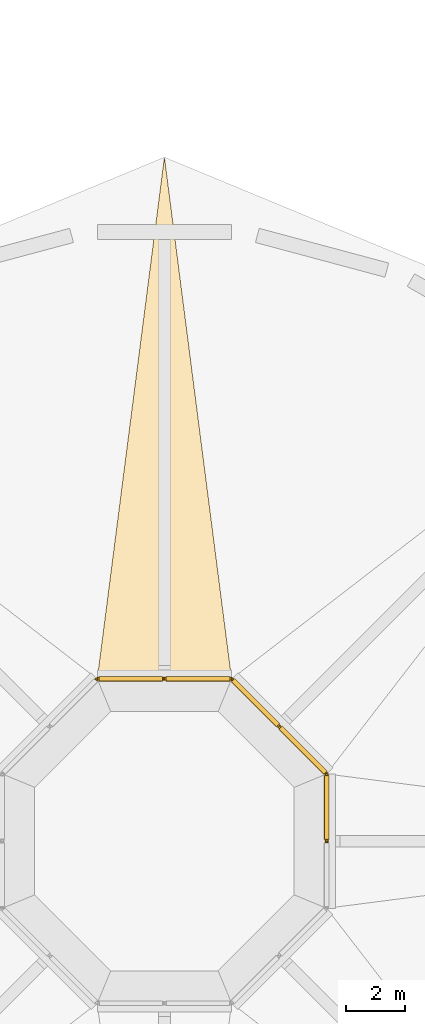
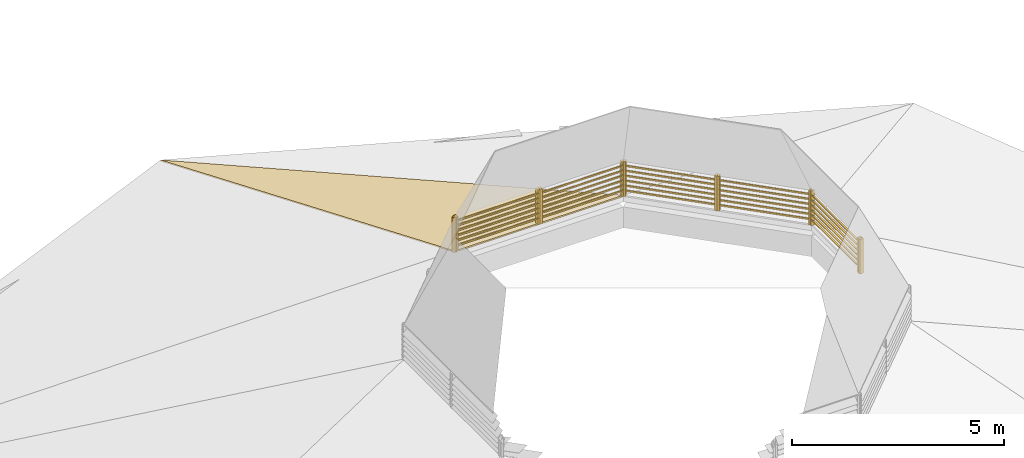
# One storey, part 120 of 137: 42 shading devices, 1 covering.
"""IFC4 building model written with IfcOpenShell, lengths in metres."""

from ifc_helpers import new_model, si_unit, direction, frame, origin, origin_2d, place, context, subcontext, project, spatial, polyline, rectangle, outline, extrude, material, layer, layer_set, material_profile, profile_set, type_object, element, save


model = new_model("IFC4")

# Units and contexts
model_context = context("Model", 3, precision=1e-05, world=origin(), true_north=direction((0.0, 1.0)))
body_context = subcontext(model_context, "Body", "Model", "MODEL_VIEW")
ifc_project = project(units=[si_unit("LENGTHUNIT", "METRE"), si_unit("AREAUNIT", "SQUARE_METRE"), si_unit("VOLUMEUNIT", "CUBIC_METRE"), si_unit("PLANEANGLEUNIT", "RADIAN"), si_unit("MASSUNIT", "GRAM", prefix="KILO")], contexts=[model_context])

# Site, building, storey
site_placement = place(None, origin())
site = spatial("IfcSite", under=ifc_project, at=site_placement, CompositionType="ELEMENT")
building_placement = place(site_placement, origin())
building = spatial("IfcBuilding", under=site, at=building_placement, Name="Bougainvillea Quay General Hospital", CompositionType="ELEMENT")
storey_placement = place(building_placement, frame((0.0, 0.0, 16.800048828125)))
storey = spatial("IfcBuildingStorey", under=building, at=storey_placement, Name="L03", CompositionType="ELEMENT", Elevation=16.800048828125)

# Shading devices
ifc_material_1 = material(Name="Extruded aluminium louvre frame, powder-coated grey", Category="aluminium")
ifc_material_profile_1 = material_profile(ifc_material_1, rectangle(XDim=0.10009765625, YDim=0.06005859375, at=origin_2d()))
ifc_profile_set_1 = profile_set([ifc_material_profile_1], Name="Extruded aluminium louvre frame, powder-coated grey")
shading_device_type_1 = type_object("IfcShadingDeviceType", Name="Louvre frame post 100x60", PredefinedType="JALOUSIE", material=ifc_profile_set_1)
for number, where, z_axis, x_axis, name in (
    (1, (114.7216796875, 76.317138671875, 9.0), (0.0, 0.0, 1.0), (-0.707106781187, -0.707106781187, 0.0), "Louvre post V00.1"),
    (2, (113.140625, 77.898193359375, 9.0), (0.0, 0.0, 1.0), (-0.707106781187, -0.707106781187, 0.0), "Louvre post V00.2"),
    (3, (113.098388671875, 77.940673828125, 9.0), (0.0, 0.0, 1.0), (-0.707106781187, -0.707106781187, 0.0), "Louvre post V01.1"),
    (4, (111.517333984375, 79.521728515625, 9.0), (0.0, 0.0, 1.0), (-0.707106781187, -0.707106781187, 0.0), "Louvre post V01.2"),
    (5, (111.466064453125, 79.54296875, 9.0), (0.0, 0.0, 1.0), (0.0, -1.0, 0.0), "Louvre post V02.1"),
    (6, (109.22998046875, 79.54296875, 9.0), (0.0, 0.0, 1.0), (0.0, -1.0, 0.0), "Louvre post V02.2"),
    (7, (109.169921875, 79.54296875, 9.0), (0.0, 0.0, 1.0), (0.0, -1.0, 0.0), "Louvre post V03.1"),
    (8, (106.93408203125, 79.54296875, 9.0), (0.0, 0.0, 1.0), (0.0, -1.0, 0.0), "Louvre post V03.2"),
    (9, (106.8828125, 79.521728515625, 9.0), (0.0, 0.0, 1.0), (0.707106781187, -0.707106781187, 0.0), "Louvre post V04.1"),
    (10, (114.742919921875, 73.969970703125, 9.0), (0.0, 0.0, 1.0), (-1.0, 0.0, 0.0), "Louvre post V14.2"),
    (11, (114.742919921875, 74.030029296875, 9.0), (0.0, 0.0, 1.0), (-1.0, 0.0, 0.0), "Louvre post V15.1"),
    (12, (114.742919921875, 76.26611328125, 9.0), (0.0, 0.0, 1.0), (-1.0, 0.0, 0.0), "Louvre post V15.2"),
):
    element("IfcShadingDevice", number, at=place(storey_placement, frame(where, z_axis=z_axis, x_axis=x_axis)), inside=storey, type_object=shading_device_type_1, Name=name, PredefinedType="JALOUSIE", context=body_context, shape_type="SweptSolid", body=[
        extrude(rectangle(XDim=0.10009765625, YDim=0.06005859375, at=origin_2d()), origin(), (0.0, 0.0, 1.0), 1.0),
    ])

# Covering
ifc_material_2 = material(Name="Standing seam zinc-titanium roofing, grey")
ifc_layer = layer(ifc_material_2, 0.0400390625)
ifc_layer_set = layer_set([ifc_layer], Name="Standing seam zinc-titanium roofing, grey")
covering_type = type_object("IfcCoveringType", Name="Standing seam metal roofing RP1 40", PredefinedType="ROOFING", material=ifc_layer_set)
covering_placement = place(storey_placement, frame((109.199951171875, 97.3798828125, 0.0), z_axis=(0.0, 0.450475782911, 0.892788647447), x_axis=(0.11417693103, -0.88695019469, 0.44752986555)))
element("IfcCovering", 13, at=covering_placement, inside=storey, type_object=covering_type, Name="Roof covering RP104", PredefinedType="ROOFING", context=body_context, shape_type="SweptSolid", body=[
    extrude(outline(polyline([(0.0, 0.0), (20.110389703138246, 2.220446049250313e-16), (19.58608455280953, -4.562011047610589), (0.0, 0.0)])), origin(), (-0.44752986555, 0.051433942396, -0.892788647447), 0.0400390625),
])

# Shading devices
ifc_material_3 = material(Name="Extruded aluminium storm louvre blade, powder-coated grey", Category="aluminium")
ifc_material_profile_2 = material_profile(ifc_material_3, rectangle(XDim=0.219970703125, YDim=0.014892578125, at=origin_2d()))
ifc_profile_set_2 = profile_set([ifc_material_profile_2], Name="Extruded aluminium storm louvre blade, powder-coated grey")
shading_device_type_2 = type_object("IfcShadingDeviceType", Name="Storm louvre blade 220", PredefinedType="JALOUSIE", material=ifc_profile_set_2)
for number, where, z_axis, x_axis, name in (
    (14, (114.70068359375, 76.33837890625, 9.142822265625), (-0.707162876286, 0.707050681637, 0.0), (-0.499960331628, -0.500039665225, 0.707106781187), "Storm louvre blade V00.1"),
    (15, (114.70068359375, 76.33837890625, 9.28564453125), (-0.707162876286, 0.707050681637, 0.0), (-0.499960331628, -0.500039665225, 0.707106781187), "Storm louvre blade V00.2"),
    (16, (114.70068359375, 76.33837890625, 9.428466796875), (-0.707162876286, 0.707050681637, 0.0), (-0.499960331628, -0.500039665225, 0.707106781187), "Storm louvre blade V00.3"),
    (17, (114.70068359375, 76.33837890625, 9.5712890625), (-0.707162876286, 0.707050681637, 0.0), (-0.499960331628, -0.500039665225, 0.707106781187), "Storm louvre blade V00.4"),
    (18, (114.70068359375, 76.33837890625, 9.71435546875), (-0.707162876286, 0.707050681637, 0.0), (-0.499960331628, -0.500039665225, 0.707106781187), "Storm louvre blade V00.5"),
    (19, (114.70068359375, 76.33837890625, 9.857177734375), (-0.707162876286, 0.707050681637, 0.0), (-0.499960331628, -0.500039665225, 0.707106781187), "Storm louvre blade V00.6"),
    (20, (113.0771484375, 77.9619140625, 9.142822265625), (-0.707162876286, 0.707050681637, 0.0), (-0.499960331628, -0.500039665225, 0.707106781187), "Storm louvre blade V01.1"),
    (21, (113.0771484375, 77.9619140625, 9.28564453125), (-0.707162876286, 0.707050681637, 0.0), (-0.499960331628, -0.500039665225, 0.707106781187), "Storm louvre blade V01.2"),
    (22, (113.0771484375, 77.9619140625, 9.428466796875), (-0.707162876286, 0.707050681637, 0.0), (-0.499960331628, -0.500039665225, 0.707106781187), "Storm louvre blade V01.3"),
    (23, (113.0771484375, 77.9619140625, 9.5712890625), (-0.707162876286, 0.707050681637, 0.0), (-0.499960331628, -0.500039665225, 0.707106781187), "Storm louvre blade V01.4"),
    (24, (113.0771484375, 77.9619140625, 9.71435546875), (-0.707162876286, 0.707050681637, 0.0), (-0.499960331628, -0.500039665225, 0.707106781187), "Storm louvre blade V01.5"),
    (25, (113.0771484375, 77.9619140625, 9.857177734375), (-0.707162876286, 0.707050681637, 0.0), (-0.499960331628, -0.500039665225, 0.707106781187), "Storm louvre blade V01.6"),
    (26, (111.43603515625, 79.54296875, 9.142822265625), (-1.0, 0.0, 0.0), (0.0, -0.707106781187, 0.707106781187), "Storm louvre blade V02.1"),
    (27, (111.43603515625, 79.54296875, 9.28564453125), (-1.0, 0.0, 0.0), (0.0, -0.707106781187, 0.707106781187), "Storm louvre blade V02.2"),
    (28, (111.43603515625, 79.54296875, 9.428466796875), (-1.0, 0.0, 0.0), (0.0, -0.707106781187, 0.707106781187), "Storm louvre blade V02.3"),
    (29, (111.43603515625, 79.54296875, 9.5712890625), (-1.0, 0.0, 0.0), (0.0, -0.707106781187, 0.707106781187), "Storm louvre blade V02.4"),
    (30, (111.43603515625, 79.54296875, 9.71435546875), (-1.0, 0.0, 0.0), (0.0, -0.707106781187, 0.707106781187), "Storm louvre blade V02.5"),
    (31, (111.43603515625, 79.54296875, 9.857177734375), (-1.0, 0.0, 0.0), (0.0, -0.707106781187, 0.707106781187), "Storm louvre blade V02.6"),
):
    element("IfcShadingDevice", number, at=place(storey_placement, frame(where, z_axis=z_axis, x_axis=x_axis)), inside=storey, type_object=shading_device_type_2, Name=name, PredefinedType="JALOUSIE", context=body_context, shape_type="SweptSolid", body=[
        extrude(rectangle(XDim=0.219970703125, YDim=0.014892578125, at=origin_2d()), origin(), (0.0, 0.0, 1.0), 2.176025390625),
    ])
for number, where, z_axis, x_axis, name in (
    (32, (109.139892578125, 79.54296875, 9.142822265625), (-1.0, 0.0, 0.0), (0.0, -0.707106781187, 0.707106781187), "Storm louvre blade V03.1"),
    (33, (109.139892578125, 79.54296875, 9.28564453125), (-1.0, 0.0, 0.0), (0.0, -0.707106781187, 0.707106781187), "Storm louvre blade V03.2"),
    (34, (109.139892578125, 79.54296875, 9.428466796875), (-1.0, 0.0, 0.0), (0.0, -0.707106781187, 0.707106781187), "Storm louvre blade V03.3"),
    (35, (109.139892578125, 79.54296875, 9.5712890625), (-1.0, 0.0, 0.0), (0.0, -0.707106781187, 0.707106781187), "Storm louvre blade V03.4"),
    (36, (109.139892578125, 79.54296875, 9.71435546875), (-1.0, 0.0, 0.0), (0.0, -0.707106781187, 0.707106781187), "Storm louvre blade V03.5"),
    (37, (109.139892578125, 79.54296875, 9.857177734375), (-1.0, 0.0, 0.0), (0.0, -0.707106781187, 0.707106781187), "Storm louvre blade V03.6"),
):
    element("IfcShadingDevice", number, at=place(storey_placement, frame(where, z_axis=z_axis, x_axis=x_axis)), inside=storey, type_object=shading_device_type_2, Name=name, PredefinedType="JALOUSIE", context=body_context, shape_type="SweptSolid", body=[
        extrude(rectangle(XDim=0.219970703125, YDim=0.014892578125, at=origin_2d()), origin(), (0.0, 0.0, 1.0), 2.17578125),
    ])
for number, where, z_axis, x_axis, name in (
    (38, (114.742919921875, 74.06005859375, 9.142822265625), (0.0, 1.0, 0.0), (-0.707106781187, 0.0, 0.707106781187), "Storm louvre blade V15.1"),
    (39, (114.742919921875, 74.06005859375, 9.28564453125), (0.0, 1.0, 0.0), (-0.707106781187, 0.0, 0.707106781187), "Storm louvre blade V15.2"),
    (40, (114.742919921875, 74.06005859375, 9.428466796875), (0.0, 1.0, 0.0), (-0.707106781187, 0.0, 0.707106781187), "Storm louvre blade V15.3"),
    (41, (114.742919921875, 74.06005859375, 9.5712890625), (0.0, 1.0, 0.0), (-0.707106781187, 0.0, 0.707106781187), "Storm louvre blade V15.4"),
    (42, (114.742919921875, 74.06005859375, 9.71435546875), (0.0, 1.0, 0.0), (-0.707106781187, 0.0, 0.707106781187), "Storm louvre blade V15.5"),
    (43, (114.742919921875, 74.06005859375, 9.857177734375), (0.0, 1.0, 0.0), (-0.707106781187, 0.0, 0.707106781187), "Storm louvre blade V15.6"),
):
    element("IfcShadingDevice", number, at=place(storey_placement, frame(where, z_axis=z_axis, x_axis=x_axis)), inside=storey, type_object=shading_device_type_2, Name=name, PredefinedType="JALOUSIE", context=body_context, shape_type="SweptSolid", body=[
        extrude(rectangle(XDim=0.219970703125, YDim=0.014892578125, at=origin_2d()), origin(), (0.0, 0.0, 1.0), 2.176025390625),
    ])

save(model, "model.ifc")
